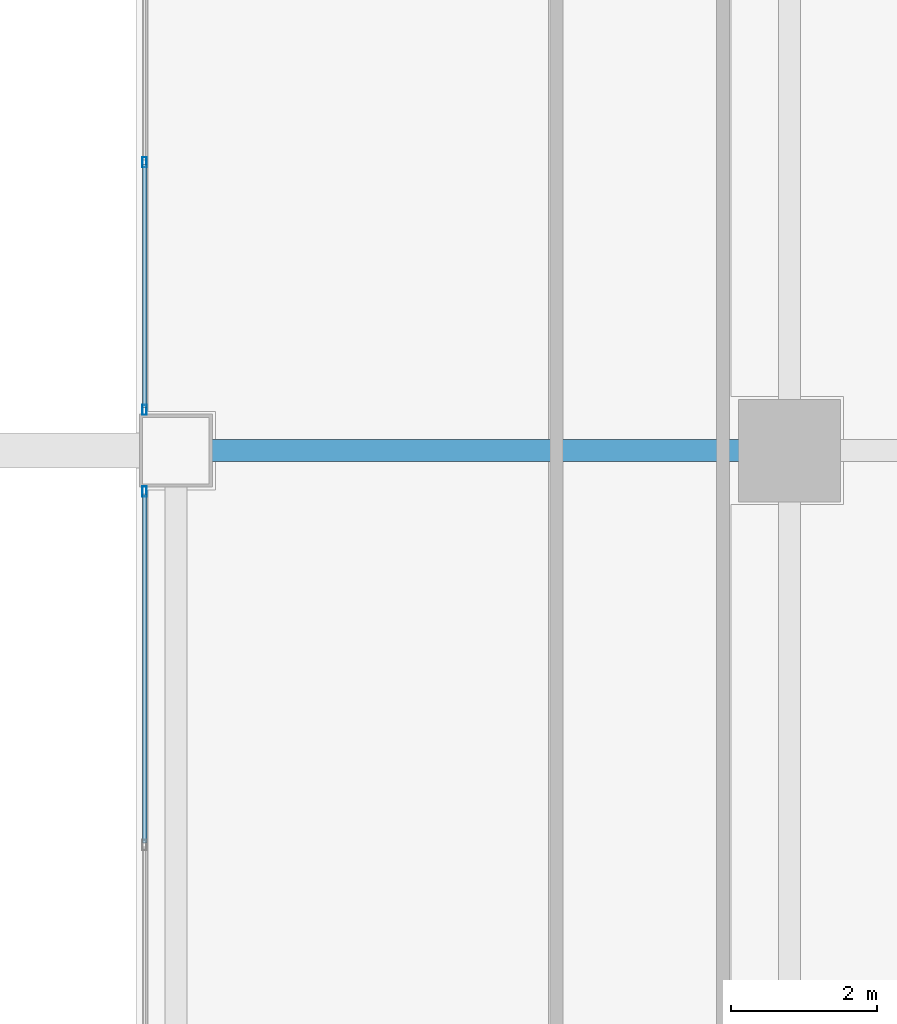
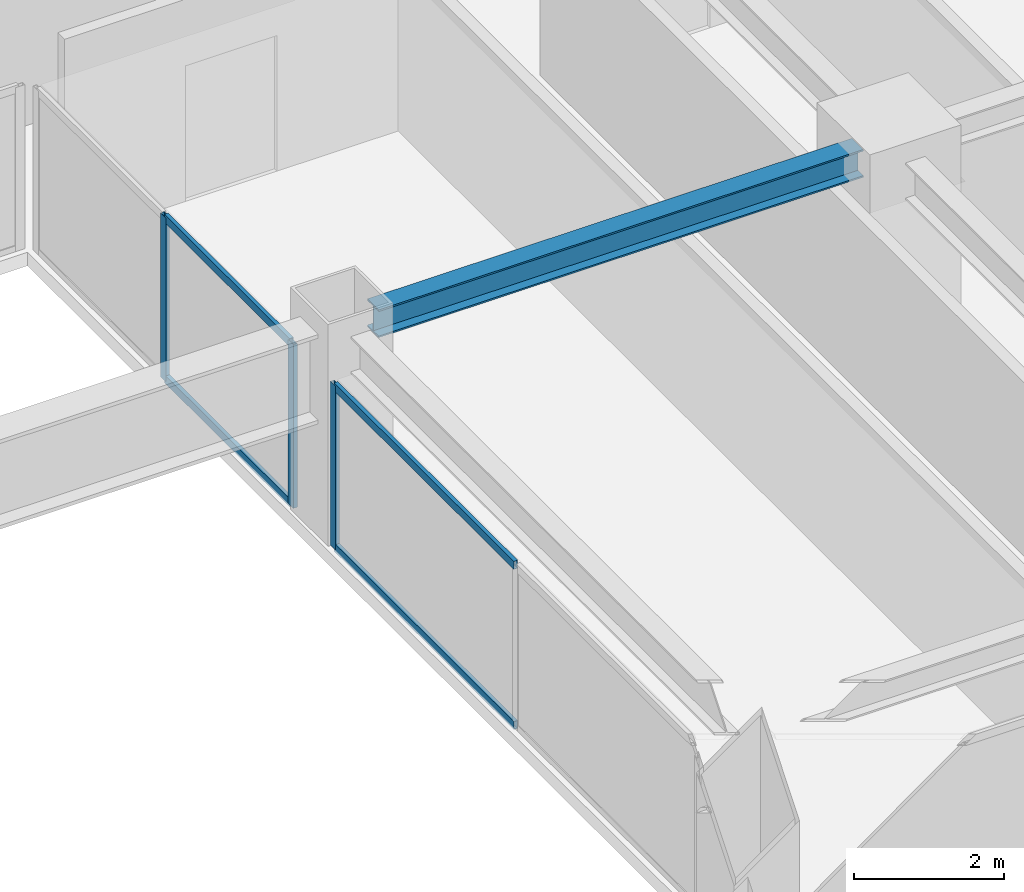
# One storey, part 16 of 32: 7 members, 1 beam, 2 elements without a shape of their own.
"""IFC4 building model written with IfcOpenShell, lengths in metres."""

from ifc_helpers import new_model, si_unit, direction, frame, origin, origin_2d, place, context, subcontext, project, spatial, hollow_rectangle, i_section, extrude, source, transform, mapped, material, layer, layer_set, material_profile, profile_set, type_object, element, aggregate, save


model = new_model("IFC4")

# Units and contexts
model_context = context("Model", 3, precision=1e-05, world=origin(), true_north=direction((0.0, 1.0)))
body_context = subcontext(model_context, "Body", "Model", "MODEL_VIEW")
ifc_project = project(units=[si_unit("LENGTHUNIT", "METRE"), si_unit("AREAUNIT", "SQUARE_METRE"), si_unit("VOLUMEUNIT", "CUBIC_METRE"), si_unit("PLANEANGLEUNIT", "RADIAN"), si_unit("MASSUNIT", "GRAM", prefix="KILO")], contexts=[model_context])

# Site, building, storey
site_placement = place(None, origin())
site = spatial("IfcSite", under=ifc_project, at=site_placement, CompositionType="ELEMENT")
building_placement = place(site_placement, origin())
building = spatial("IfcBuilding", under=site, at=building_placement, Name="Sumidabori Civic Tower", CompositionType="ELEMENT")
storey_placement = place(building_placement, frame((0.0, 0.0, 225.199951171875)))
storey = spatial("IfcBuildingStorey", under=building, at=storey_placement, Name="L58", CompositionType="ELEMENT", Elevation=225.199951171875)

# Beam
ifc_material_1 = material(Name="Steel SN490", Category="steel")
ifc_material_profile_1 = material_profile(ifc_material_1, i_section(OverallWidth=0.300048828125, OverallDepth=0.449951171875, WebThickness=0.013916015625, FlangeThickness=0.02587890625, at=origin_2d()), Name="HE 450 B")
ifc_profile_set_1 = profile_set([ifc_material_profile_1], Name="Steel SN490")
beam_type = type_object("IfcBeamType", Name="BM-GIRD-450", PredefinedType="BEAM", material=ifc_profile_set_1)
shared_shape_1 = source(origin(), body_context, "Body", "SweptSolid", [
    extrude(i_section(OverallWidth=0.300048828125, OverallDepth=0.449951171875, WebThickness=0.013916015625, FlangeThickness=0.02587890625, at=origin_2d()), origin(), (0.0, 0.0, 1.0), 7.440185546875),
])
beam_placement = place(storey_placement, frame((8.8798828125, 0.0, 3.054931640625), z_axis=(1.0, 0.0, 0.0), x_axis=(0.0, 1.0, 0.0)))
element("IfcBeam", 1, at=beam_placement, inside=storey, type_object=beam_type, Name="Primary Girder L58 GX-07", PredefinedType="BEAM", context=body_context, shape_type="MappedRepresentation", body=[
    mapped(shared_shape_1, transform((0.0, 0.0, 0.0), x_axis=(1.0, 0.0, 0.0), y_axis=(0.0, 1.0, 0.0), z_axis=(0.0, 0.0, 1.0), scale=1.0)),
])

# Curtain wall, members
ifc_material_2 = material(Name="Anodised Bronze Aluminium AW-6063-T6", Category="aluminium")
ifc_layer = layer(ifc_material_2, 0.179931640625, Name="Anodised Bronze Aluminium AW-6063-T6")
ifc_layer_set = layer_set([ifc_layer], Name="Anodised Bronze Aluminium AW-6063-T6")
curtain_wall_type = type_object("IfcCurtainWallType", Name="CW-SYS-4", PredefinedType="NOTDEFINED", material=ifc_layer_set)
curtain_wall_1_placement = place(storey_placement, origin())
curtain_wall_1 = element("IfcCurtainWall", 2, at=curtain_wall_1_placement, inside=storey, type_object=curtain_wall_type, Name="Curtain Wall CW:L58:R07", PredefinedType="NOTDEFINED")
ifc_material_profile_2 = material_profile(ifc_material_2, hollow_rectangle(XDim=0.06005859375, YDim=0.1298828125, WallThickness=0.0048828125, at=origin_2d()), Name="ALU TRANSOM 130x60")
ifc_profile_set_2 = profile_set([ifc_material_profile_2], Name="Anodised Bronze Aluminium AW-6063-T6")
member_type_1 = type_object("IfcMemberType", Name="CW-TRN-130", PredefinedType="USERDEFINED", material=ifc_profile_set_2)
shared_shape_2 = source(origin(), body_context, "Body", "SweptSolid", [
    extrude(hollow_rectangle(XDim=0.06005859375, YDim=0.1298828125, WallThickness=0.0048828125, at=origin_2d()), origin(), (0.0, 0.0, 1.0), 4.780029296875),
])
member_1_placement = place(storey_placement, frame((7.969970703125, -0.590087890625, 0.030029296875), z_axis=(0.0, -1.0, 0.0), x_axis=(1.0, 0.0, 0.0)))
member_1 = element("IfcMember", 3, at=member_1_placement, type_object=member_type_1, Name="CW-4 transom 1.1", ObjectType="TRANSOM", PredefinedType="USERDEFINED", context=body_context, shape_type="MappedRepresentation", body=[
    mapped(shared_shape_2, transform((0.0, 0.0, 0.0), x_axis=(1.0, 0.0, 0.0), y_axis=(0.0, 1.0, 0.0), z_axis=(0.0, 0.0, 1.0), scale=1.0)),
])
member_2_placement = place(storey_placement, frame((7.969970703125, -0.590087890625, 2.630126953125), z_axis=(0.0, -1.0, 0.0), x_axis=(1.0, 0.0, 0.0)))
member_2 = element("IfcMember", 4, at=member_2_placement, type_object=member_type_1, Name="CW-4 transom 1.2", ObjectType="TRANSOM", PredefinedType="USERDEFINED", context=body_context, shape_type="MappedRepresentation", body=[
    mapped(shared_shape_2, transform((0.0, 0.0, 0.0), x_axis=(1.0, 0.0, 0.0), y_axis=(0.0, 1.0, 0.0), z_axis=(0.0, 0.0, 1.0), scale=1.0)),
])

curtain_wall_2_placement = place(storey_placement, origin())
curtain_wall_2 = element("IfcCurtainWall", 5, at=curtain_wall_2_placement, inside=storey, type_object=curtain_wall_type, Name="Curtain Wall CW:L58:R06", PredefinedType="NOTDEFINED")
shared_shape_3 = source(origin(), body_context, "Body", "SweptSolid", [
    extrude(hollow_rectangle(XDim=0.06005859375, YDim=0.1298828125, WallThickness=0.0048828125, at=origin_2d()), origin(), (0.0, 0.0, 1.0), 3.329833984375),
])
member_3_placement = place(storey_placement, frame((7.969970703125, 3.919921875, 0.030029296875), z_axis=(0.0, -1.0, 0.0), x_axis=(1.0, 0.0, 0.0)))
member_3 = element("IfcMember", 6, at=member_3_placement, type_object=member_type_1, Name="CW-4 transom 2.1", ObjectType="TRANSOM", PredefinedType="USERDEFINED", context=body_context, shape_type="MappedRepresentation", body=[
    mapped(shared_shape_3, transform((0.0, 0.0, 0.0), x_axis=(1.0, 0.0, 0.0), y_axis=(0.0, 1.0, 0.0), z_axis=(0.0, 0.0, 1.0), scale=1.0)),
])
member_4_placement = place(storey_placement, frame((7.969970703125, 3.919921875, 2.630126953125), z_axis=(0.0, -1.0, 0.0), x_axis=(1.0, 0.0, 0.0)))
member_4 = element("IfcMember", 7, at=member_4_placement, type_object=member_type_1, Name="CW-4 transom 2.2", ObjectType="TRANSOM", PredefinedType="USERDEFINED", context=body_context, shape_type="MappedRepresentation", body=[
    mapped(shared_shape_3, transform((0.0, 0.0, 0.0), x_axis=(1.0, 0.0, 0.0), y_axis=(0.0, 1.0, 0.0), z_axis=(0.0, 0.0, 1.0), scale=1.0)),
])
ifc_material_profile_3 = material_profile(ifc_material_2, hollow_rectangle(XDim=0.06005859375, YDim=0.139892578125, WallThickness=0.0048828125, at=origin_2d()), Name="ALU MULLION 140x60")
ifc_profile_set_3 = profile_set([ifc_material_profile_3], Name="Anodised Bronze Aluminium AW-6063-T6")
member_type_2 = type_object("IfcMemberType", Name="CW-MUL-140", PredefinedType="MULLION", material=ifc_profile_set_3)
shared_shape_4 = source(origin(), body_context, "Body", "SweptSolid", [
    extrude(hollow_rectangle(XDim=0.06005859375, YDim=0.139892578125, WallThickness=0.0048828125, at=origin_2d()), origin(), (0.0, 0.0, 1.0), 2.66015625),
])
member_5_placement = place(storey_placement, frame((7.969970703125, 3.949951171875, 0.0), z_axis=(0.0, 0.0, 1.0), x_axis=(1.0, 0.0, 0.0)))
member_5 = element("IfcMember", 8, at=member_5_placement, type_object=member_type_2, Name="CW-4 mullion 2", PredefinedType="MULLION", context=body_context, shape_type="MappedRepresentation", body=[
    mapped(shared_shape_4, transform((0.0, 0.0, 0.0), x_axis=(1.0, 0.0, 0.0), y_axis=(0.0, 1.0, 0.0), z_axis=(0.0, 0.0, 1.0), scale=1.0)),
])
member_6_placement = place(storey_placement, frame((7.969970703125, 0.56005859375, 0.0), z_axis=(0.0, 0.0, 1.0), x_axis=(1.0, 0.0, 0.0)))
member_6 = element("IfcMember", 9, at=member_6_placement, type_object=member_type_2, Name="CW-4 mullion 3", PredefinedType="MULLION", context=body_context, shape_type="MappedRepresentation", body=[
    mapped(shared_shape_4, transform((0.0, 0.0, 0.0), x_axis=(1.0, 0.0, 0.0), y_axis=(0.0, 1.0, 0.0), z_axis=(0.0, 0.0, 1.0), scale=1.0)),
])
aggregate(curtain_wall_2, [member_5, member_6, member_3, member_4])

# Member
member_7_placement = place(storey_placement, frame((7.969970703125, -0.56005859375, 0.0), z_axis=(0.0, 0.0, 1.0), x_axis=(1.0, 0.0, 0.0)))
member_7 = element("IfcMember", 10, at=member_7_placement, type_object=member_type_2, Name="CW-4 mullion 1", PredefinedType="MULLION", context=body_context, shape_type="MappedRepresentation", body=[
    mapped(shared_shape_4, transform((0.0, 0.0, 0.0), x_axis=(1.0, 0.0, 0.0), y_axis=(0.0, 1.0, 0.0), z_axis=(0.0, 0.0, 1.0), scale=1.0)),
])

aggregate(curtain_wall_1, [member_7, member_1, member_2])

save(model, "model.ifc")
